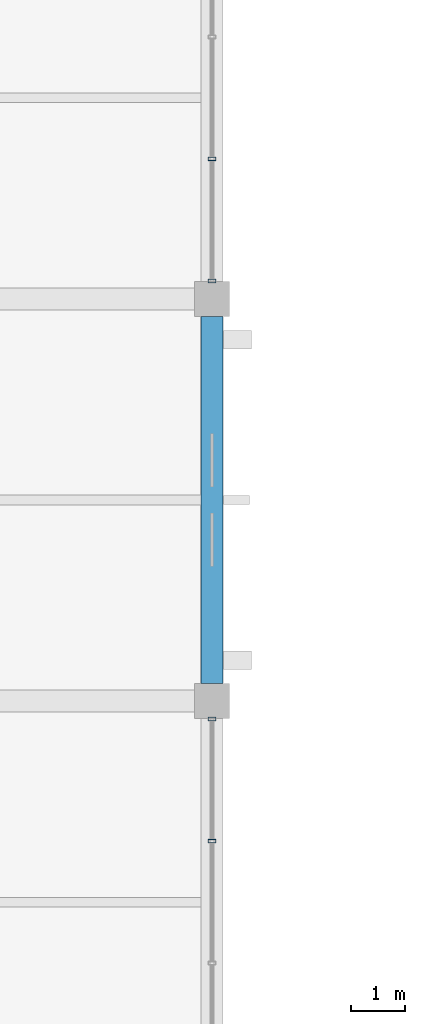
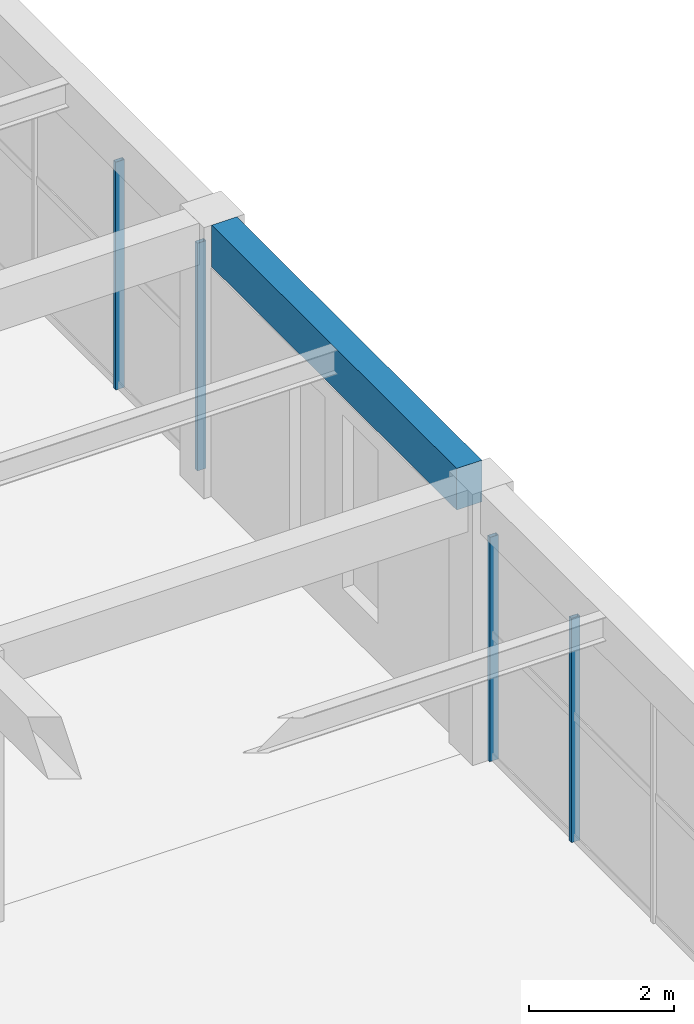
# One storey, part 122 of 161: 4 members, 1 beam, 2 elements without a shape of their own.
"""IFC4 building model written with IfcOpenShell, lengths in metres."""

from ifc_helpers import new_model, si_unit, direction, frame, origin, origin_2d, place, context, subcontext, project, spatial, rectangle, hollow_rectangle, extrude, material, material_profile, profile_set, type_object, element, aggregate, save


model = new_model("IFC4")

# Units and contexts
model_context = context("Model", 3, precision=1e-05, world=origin(), true_north=direction((0.0, 1.0)))
body_context = subcontext(model_context, "Body", "Model", "MODEL_VIEW")
ifc_project = project(units=[si_unit("LENGTHUNIT", "METRE"), si_unit("AREAUNIT", "SQUARE_METRE"), si_unit("VOLUMEUNIT", "CUBIC_METRE"), si_unit("PLANEANGLEUNIT", "RADIAN"), si_unit("MASSUNIT", "GRAM", prefix="KILO")], contexts=[model_context])

# Site, building, storey
site_placement = place(None, origin())
site = spatial("IfcSite", under=ifc_project, at=site_placement, CompositionType="ELEMENT")
building_placement = place(site_placement, origin())
building = spatial("IfcBuilding", under=site, at=building_placement, Name="Cimatlan Art Gallery", CompositionType="ELEMENT")
storey_placement = place(building_placement, frame((0.0, 0.0, 5.39990234375)))
storey = spatial("IfcBuildingStorey", under=building, at=storey_placement, Name="L01", CompositionType="ELEMENT", Elevation=5.39990234375)

# Beam
ifc_material_1 = material(Name="Concrete C40/50", Category="concrete")
ifc_material_profile_1 = material_profile(ifc_material_1, rectangle(XDim=0.39990234375, YDim=0.699951171875, at=origin_2d()), Name="RC400X700")
ifc_profile_set_1 = profile_set([ifc_material_profile_1], Name="Concrete C40/50")
beam_type = type_object("IfcBeamType", Name="BM-RC-400X700", PredefinedType="BEAM", material=ifc_profile_set_1)
beam_placement = place(storey_placement, frame((131.60009765625, 68.625, 4.210205078125), z_axis=(0.0, 1.0, 0.0), x_axis=(-1.0, 0.0, 0.0)))
element("IfcBeam", 1, at=beam_placement, inside=storey, type_object=beam_type, Name="BM-Y-L01-16-09", PredefinedType="BEAM", context=body_context, shape_type="SweptSolid", body=[
    extrude(rectangle(XDim=0.39990234375, YDim=0.699951171875, at=origin_2d()), origin(), (0.0, 0.0, 1.0), 6.75),
])

# Curtain wall, members
ifc_material_2 = material(Name="Anodised bronze unitised curtain wall")
curtain_wall_type_1 = type_object("IfcCurtainWallType", Name="CW-V-06742X03770-B3", PredefinedType="NOTDEFINED", material=ifc_material_2)
curtain_wall_1_placement = place(storey_placement, origin())
curtain_wall_1 = element("IfcCurtainWall", 2, at=curtain_wall_1_placement, inside=storey, type_object=curtain_wall_type_1, Name="CW-L01-15-08-E", PredefinedType="NOTDEFINED")
ifc_material_3 = material(Name="Anodised bronze aluminium 6063-T6", Category="aluminium")
ifc_material_profile_2 = material_profile(ifc_material_3, hollow_rectangle(XDim=0.06494140625, YDim=0.139892578125, WallThickness=0.00390625, at=origin_2d()), Name="ALU65X140X4")
ifc_profile_set_2 = profile_set([ifc_material_profile_2], Name="Anodised bronze aluminium 6063-T6")
member_type = type_object("IfcMemberType", Name="CW-MUL-140", PredefinedType="MULLION", material=ifc_profile_set_2)
member_1_placement = place(storey_placement, frame((131.60009765625, 67.970947265625, 0.0), z_axis=(0.0, 0.0, 1.0), x_axis=(0.0, 1.0, 0.0)))
member_1 = element("IfcMember", 3, at=member_1_placement, type_object=member_type, Name="CW-L01-15-08-E-M1", PredefinedType="MULLION", context=body_context, shape_type="SweptSolid", body=[
    extrude(hollow_rectangle(XDim=0.06494140625, YDim=0.139892578125, WallThickness=0.00390625, at=origin_2d()), origin(), (0.0, 0.0, 1.0), 3.77001953125),
])
member_2_placement = place(storey_placement, frame((131.60009765625, 65.7236328125, 0.0), z_axis=(0.0, 0.0, 1.0), x_axis=(0.0, 1.0, 0.0)))
member_2 = element("IfcMember", 4, at=member_2_placement, type_object=member_type, Name="CW-L01-15-08-E-M2", PredefinedType="MULLION", context=body_context, shape_type="SweptSolid", body=[
    extrude(hollow_rectangle(XDim=0.06494140625, YDim=0.139892578125, WallThickness=0.00390625, at=origin_2d()), origin(), (0.0, 0.0, 1.0), 3.77001953125),
])
aggregate(curtain_wall_1, [member_1, member_2])

curtain_wall_type_2 = type_object("IfcCurtainWallType", Name="CW-V-06742X03830-B3", PredefinedType="NOTDEFINED", material=ifc_material_2)
curtain_wall_2_placement = place(storey_placement, origin())
curtain_wall_2 = element("IfcCurtainWall", 5, at=curtain_wall_2_placement, inside=storey, type_object=curtain_wall_type_2, Name="CW-L01-15-10-E", PredefinedType="NOTDEFINED")
member_3_placement = place(storey_placement, frame((131.60009765625, 78.2763671875, 0.0), z_axis=(0.0, 0.0, 1.0), x_axis=(0.0, 1.0, 0.0)))
member_3 = element("IfcMember", 6, at=member_3_placement, type_object=member_type, Name="CW-L01-15-10-E-M3", PredefinedType="MULLION", context=body_context, shape_type="SweptSolid", body=[
    extrude(hollow_rectangle(XDim=0.06494140625, YDim=0.139892578125, WallThickness=0.00390625, at=origin_2d()), origin(), (0.0, 0.0, 1.0), 3.830078125),
])
member_4_placement = place(storey_placement, frame((131.60009765625, 76.029052734375, 0.0), z_axis=(0.0, 0.0, 1.0), x_axis=(0.0, 1.0, 0.0)))
member_4 = element("IfcMember", 7, at=member_4_placement, type_object=member_type, Name="CW-L01-15-10-E-M4", PredefinedType="MULLION", context=body_context, shape_type="SweptSolid", body=[
    extrude(hollow_rectangle(XDim=0.06494140625, YDim=0.139892578125, WallThickness=0.00390625, at=origin_2d()), origin(), (0.0, 0.0, 1.0), 3.830078125),
])
aggregate(curtain_wall_2, [member_3, member_4])

save(model, "model.ifc")
